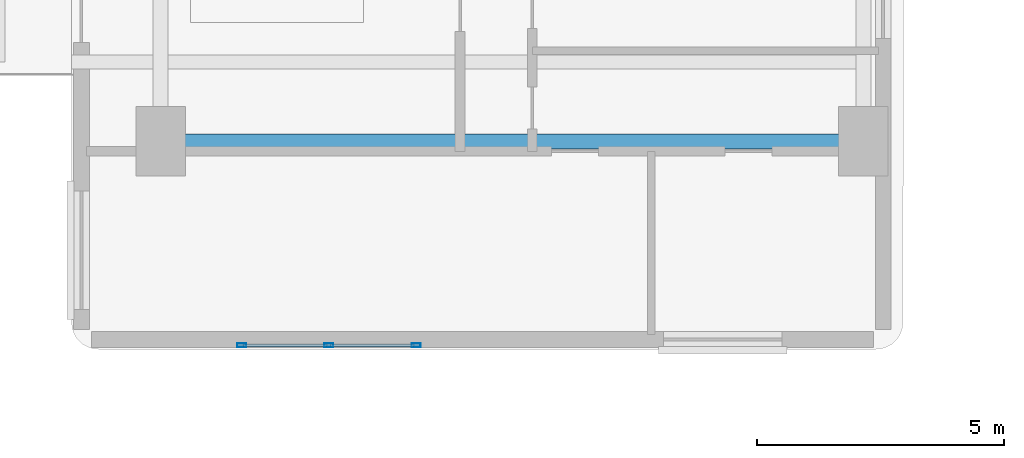
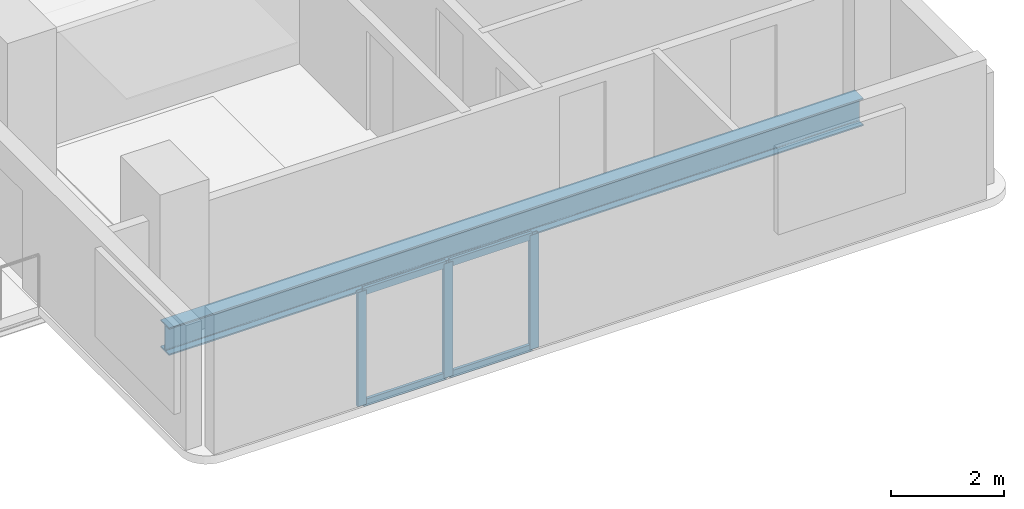
# One storey, part 2 of 16: 7 members, 1 beam, 1 element without a shape of its own.
"""IFC4 building model written with IfcOpenShell, lengths in metres."""

from ifc_helpers import new_model, si_unit, direction, frame, origin, origin_2d, place, context, subcontext, project, spatial, hollow_rectangle, i_section, extrude, material, material_profile, profile_set, type_object, element, aggregate, save


model = new_model("IFC4")

# Units and contexts
model_context = context("Model", 3, precision=1e-05, world=origin(), true_north=direction((0.0, 1.0)))
body_context = subcontext(model_context, "Body", "Model", "MODEL_VIEW")
ifc_project = project(units=[si_unit("LENGTHUNIT", "METRE"), si_unit("AREAUNIT", "SQUARE_METRE"), si_unit("VOLUMEUNIT", "CUBIC_METRE"), si_unit("PLANEANGLEUNIT", "RADIAN"), si_unit("MASSUNIT", "GRAM", prefix="KILO")], contexts=[model_context])

# Site, building, storey
site_placement = place(None, origin())
site = spatial("IfcSite", under=ifc_project, at=site_placement, CompositionType="ELEMENT")
building_placement = place(site_placement, origin())
building = spatial("IfcBuilding", under=site, at=building_placement, Name="Kuzgunbayir Cultural Tower", CompositionType="ELEMENT")
storey_placement = place(building_placement, frame((0.0, 0.0, 66.0)))
storey = spatial("IfcBuildingStorey", under=building, at=storey_placement, Name="L18", CompositionType="ELEMENT", Elevation=66.0)

# Beam
ifc_material_1 = material(Name="Steel S355J2", Category="steel")
ifc_material_profile_1 = material_profile(ifc_material_1, i_section(OverallWidth=0.300048828125, OverallDepth=0.60009765625, WebThickness=0.015380859375, FlangeThickness=0.030029296875, FilletRadius=0.027099609375, at=origin_2d()), Name="HEB 600")
ifc_profile_set_1 = profile_set([ifc_material_profile_1], Name="Steel S355J2")
beam_type = type_object("IfcBeamType", Name="BM-GIR-HEB600", PredefinedType="BEAM", material=ifc_profile_set_1)
beam_placement = place(storey_placement, frame((5.39990234375, 12.60009765625, -0.47998046875), z_axis=(1.0, 0.0, 0.0), x_axis=(0.0, 1.0, 0.0)))
element("IfcBeam", 1, at=beam_placement, inside=storey, type_object=beam_type, Name="L18 Wing A Transverse Girder 1", PredefinedType="BEAM", context=body_context, shape_type="SweptSolid", body=[
    extrude(i_section(OverallWidth=0.300048828125, OverallDepth=0.60009765625, WebThickness=0.015380859375, FlangeThickness=0.030029296875, FilletRadius=0.027099609375, at=origin_2d()), origin(), (0.0, 0.0, 1.0), 14.2001953125),
])

# Curtain wall, members
ifc_material_2 = material(Name="Anodised Aluminium Framing", Category="aluminium")
curtain_wall_type = type_object("IfcCurtainWallType", Name="CW03-T1-OFFICE", PredefinedType="NOTDEFINED", material=ifc_material_2)
curtain_wall_placement = place(storey_placement, origin())
curtain_wall = element("IfcCurtainWall", 2, at=curtain_wall_placement, inside=storey, type_object=curtain_wall_type, Name="L18 Wing A South Feature Curtain Wall", PredefinedType="NOTDEFINED")
ifc_material_profile_2 = material_profile(ifc_material_2, hollow_rectangle(XDim=0.074951171875, YDim=0.179931640625, WallThickness=0.0048828125, at=origin_2d()), Name="RHS 180x75x5")
ifc_profile_set_2 = profile_set([ifc_material_profile_2], Name="Anodised Aluminium Framing")
member_type_1 = type_object("IfcMemberType", Name="MEM-CW-MULLION-180", PredefinedType="MULLION", material=ifc_profile_set_2)
member_1_placement = place(storey_placement, frame((7.03759765625, 8.47998046875, 0.0), z_axis=(0.0, 0.0, 1.0), x_axis=(0.0, 1.0, 0.0)))
member_1 = element("IfcMember", 3, at=member_1_placement, type_object=member_type_1, Name="CW03 mullion 1", PredefinedType="MULLION", context=body_context, shape_type="SweptSolid", body=[
    extrude(hollow_rectangle(XDim=0.074951171875, YDim=0.179931640625, WallThickness=0.0048828125, at=origin_2d()), origin(), (0.0, 0.0, 1.0), 2.469970703125),
])
member_2_placement = place(storey_placement, frame((8.800048828125, 8.47998046875, 0.0), z_axis=(0.0, 0.0, 1.0), x_axis=(0.0, 1.0, 0.0)))
member_2 = element("IfcMember", 4, at=member_2_placement, type_object=member_type_1, Name="CW03 mullion 2", PredefinedType="MULLION", context=body_context, shape_type="SweptSolid", body=[
    extrude(hollow_rectangle(XDim=0.074951171875, YDim=0.179931640625, WallThickness=0.0048828125, at=origin_2d()), origin(), (0.0, 0.0, 1.0), 2.469970703125),
])
member_3_placement = place(storey_placement, frame((10.5625, 8.47998046875, 0.0), z_axis=(0.0, 0.0, 1.0), x_axis=(0.0, 1.0, 0.0)))
member_3 = element("IfcMember", 5, at=member_3_placement, type_object=member_type_1, Name="CW03 mullion 3", PredefinedType="MULLION", context=body_context, shape_type="SweptSolid", body=[
    extrude(hollow_rectangle(XDim=0.074951171875, YDim=0.179931640625, WallThickness=0.0048828125, at=origin_2d()), origin(), (0.0, 0.0, 1.0), 2.469970703125),
])
ifc_material_profile_3 = material_profile(ifc_material_2, hollow_rectangle(XDim=0.06005859375, YDim=0.14990234375, WallThickness=0.00390625, at=origin_2d()), Name="RHS 150x60x4")
ifc_profile_set_3 = profile_set([ifc_material_profile_3], Name="Anodised Aluminium Framing")
member_type_2 = type_object("IfcMemberType", Name="MEM-CW-TRANSOM-150", PredefinedType="USERDEFINED", material=ifc_profile_set_3)
member_4_placement = place(storey_placement, frame((7.074951171875, 8.47998046875, 0.030029296875), z_axis=(1.0, 0.0, 0.0), x_axis=(0.0, 1.0, 0.0)))
member_4 = element("IfcMember", 6, at=member_4_placement, type_object=member_type_2, Name="CW03 transom 1.1", ObjectType="TRANSOM", PredefinedType="USERDEFINED", context=body_context, shape_type="SweptSolid", body=[
    extrude(hollow_rectangle(XDim=0.06005859375, YDim=0.14990234375, WallThickness=0.00390625, at=origin_2d()), origin(), (0.0, 0.0, 1.0), 1.6875),
])
member_5_placement = place(storey_placement, frame((7.074951171875, 8.47998046875, 2.43994140625), z_axis=(1.0, 0.0, 0.0), x_axis=(0.0, 1.0, 0.0)))
member_5 = element("IfcMember", 7, at=member_5_placement, type_object=member_type_2, Name="CW03 transom 1.2", ObjectType="TRANSOM", PredefinedType="USERDEFINED", context=body_context, shape_type="SweptSolid", body=[
    extrude(hollow_rectangle(XDim=0.06005859375, YDim=0.14990234375, WallThickness=0.00390625, at=origin_2d()), origin(), (0.0, 0.0, 1.0), 1.6875),
])
member_6_placement = place(storey_placement, frame((8.83740234375, 8.47998046875, 0.030029296875), z_axis=(1.0, 0.0, 0.0), x_axis=(0.0, 1.0, 0.0)))
member_6 = element("IfcMember", 8, at=member_6_placement, type_object=member_type_2, Name="CW03 transom 2.1", ObjectType="TRANSOM", PredefinedType="USERDEFINED", context=body_context, shape_type="SweptSolid", body=[
    extrude(hollow_rectangle(XDim=0.06005859375, YDim=0.14990234375, WallThickness=0.00390625, at=origin_2d()), origin(), (0.0, 0.0, 1.0), 1.6875),
])
member_7_placement = place(storey_placement, frame((8.83740234375, 8.47998046875, 2.43994140625), z_axis=(1.0, 0.0, 0.0), x_axis=(0.0, 1.0, 0.0)))
member_7 = element("IfcMember", 9, at=member_7_placement, type_object=member_type_2, Name="CW03 transom 2.2", ObjectType="TRANSOM", PredefinedType="USERDEFINED", context=body_context, shape_type="SweptSolid", body=[
    extrude(hollow_rectangle(XDim=0.06005859375, YDim=0.14990234375, WallThickness=0.00390625, at=origin_2d()), origin(), (0.0, 0.0, 1.0), 1.6875),
])
aggregate(curtain_wall, [member_1, member_2, member_3, member_4, member_5, member_6, member_7])

save(model, "model.ifc")
